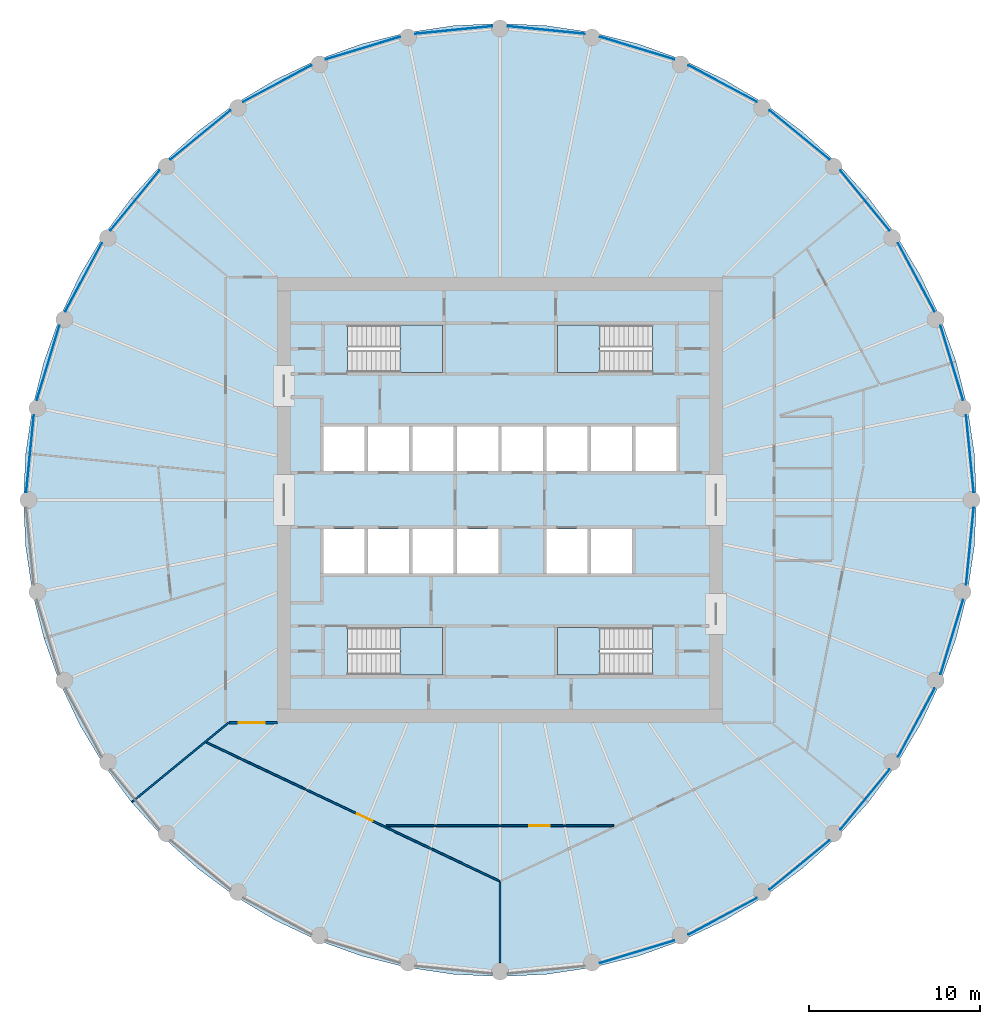
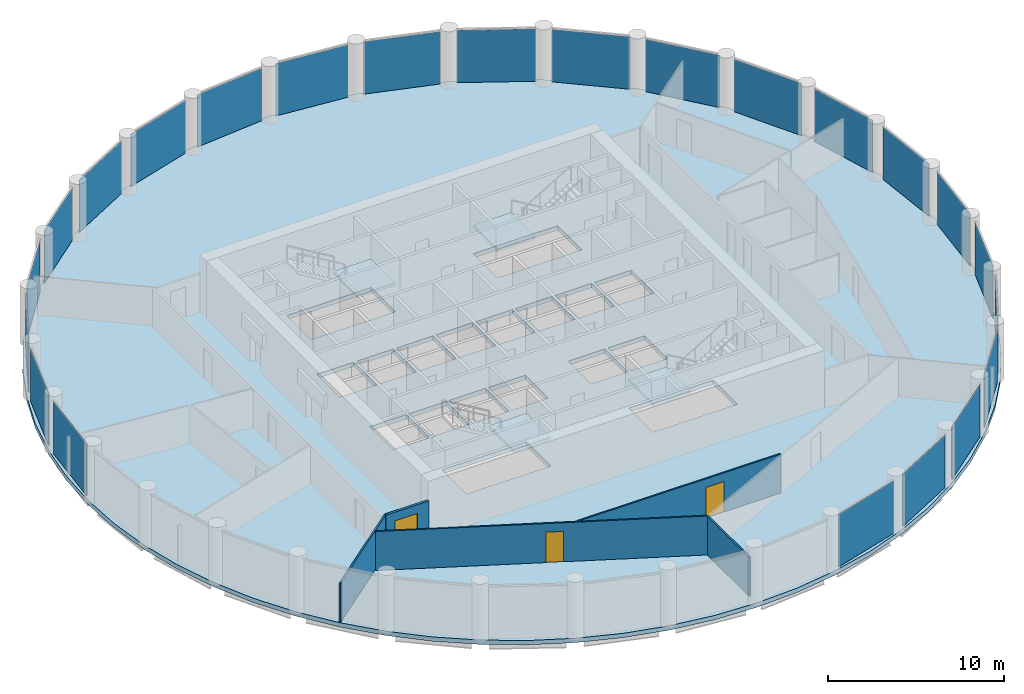
# One storey, part 3 of 8: 23 plates, 5 slabs, 5 walls, 3 doors, 3 openings, 27 elements without a shape of their own.
"""IFC4 building model written with IfcOpenShell, lengths in metres."""

from ifc_helpers import new_model, si_unit, direction, frame, frame_2d, origin, origin_2d, place, context, subcontext, project, spatial, polyline, rectangle, outline, extrude, material, layer, layer_set, type_object, element, fill, aggregate, save


model = new_model("IFC4")

# Units and contexts
model_context = context("Model", 3, precision=1e-05, world=origin(), true_north=direction((0.0, 1.0)))
body_context = subcontext(model_context, "Body", "Model", "MODEL_VIEW")
ifc_project = project(units=[si_unit("LENGTHUNIT", "METRE"), si_unit("AREAUNIT", "SQUARE_METRE"), si_unit("VOLUMEUNIT", "CUBIC_METRE"), si_unit("PLANEANGLEUNIT", "RADIAN"), si_unit("MASSUNIT", "GRAM", prefix="KILO")], contexts=[model_context])

# Site, building, storey
site_placement = place(None, origin())
site = spatial("IfcSite", under=ifc_project, at=site_placement, CompositionType="ELEMENT")
building_placement = place(site_placement, origin())
building = spatial("IfcBuilding", under=site, at=building_placement, Name="Corvane Civic Tower", CompositionType="ELEMENT")
storey_placement = place(building_placement, frame((0.0, 0.0, 213.5)))
storey = spatial("IfcBuildingStorey", under=building, at=storey_placement, Name="L50", CompositionType="ELEMENT", Elevation=213.5)

# Slab
ifc_material_1 = material(Name="Concrete C40/50", Category="concrete")
ifc_layer_1 = layer(ifc_material_1, 0.300048828125)
ifc_layer_set_1 = layer_set([ifc_layer_1], Name="Concrete C40/50")
slab_type_1 = type_object("IfcSlabType", Name="FLOOR SLAB 300", PredefinedType="FLOOR", material=ifc_layer_set_1)
slab_1_placement = place(storey_placement, frame((0.0, 0.0, -0.300048828125)))
element("IfcSlab", 1, at=slab_1_placement, inside=storey, type_object=slab_type_1, Name="SLB-L50", PredefinedType="FLOOR", context=body_context, shape_type="SweptSolid", body=[
    extrude(outline(polyline([(0.0, 27.800048828125), (-2.724853515625, 27.666015625), (-5.423583984375, 27.265869140625), (-8.06982421875, 26.60302734375), (-10.638671875, 25.683837890625), (-13.104736328125, 24.517333984375), (-15.44482421875, 23.11474609375), (-17.63623046875, 21.48974609375), (-19.657470703125, 19.657470703125), (-21.48974609375, 17.63623046875), (-23.11474609375, 15.44482421875), (-24.517333984375, 13.104736328125), (-25.683837890625, 10.638671875), (-26.60302734375, 8.06982421875), (-27.265869140625, 5.423583984375), (-27.666015625, 2.724853515625), (-27.800048828125, 0.0), (-27.666015625, -2.724853515625), (-27.265869140625, -5.423583984375), (-26.60302734375, -8.06982421875), (-25.683837890625, -10.638671875), (-24.517333984375, -13.104736328125), (-23.11474609375, -15.44482421875), (-21.48974609375, -17.63623046875), (-19.657470703125, -19.657470703125), (-17.63623046875, -21.48974609375), (-15.44482421875, -23.11474609375), (-13.104736328125, -24.517333984375), (-10.638671875, -25.683837890625), (-8.06982421875, -26.60302734375), (-5.423583984375, -27.265869140625), (-2.724853515625, -27.666015625), (0.0, -27.800048828125), (2.724853515625, -27.666015625), (5.423583984375, -27.265869140625), (8.06982421875, -26.60302734375), (10.638671875, -25.683837890625), (13.104736328125, -24.517333984375), (15.44482421875, -23.11474609375), (17.63623046875, -21.48974609375), (19.657470703125, -19.657470703125), (21.48974609375, -17.63623046875), (23.11474609375, -15.44482421875), (24.517333984375, -13.104736328125), (25.683837890625, -10.638671875), (26.60302734375, -8.06982421875), (27.265869140625, -5.423583984375), (27.666015625, -2.724853515625), (27.800048828125, 0.0), (27.666015625, 2.724853515625), (27.265869140625, 5.423583984375), (26.60302734375, 8.06982421875), (25.683837890625, 10.638671875), (24.517333984375, 13.104736328125), (23.11474609375, 15.44482421875), (21.48974609375, 17.63623046875), (19.657470703125, 19.657470703125), (17.63623046875, 21.48974609375), (15.44482421875, 23.11474609375), (13.104736328125, 24.517333984375), (10.638671875, 25.683837890625), (8.06982421875, 26.60302734375), (5.423583984375, 27.265869140625), (2.724853515625, 27.666015625), (0.0, 27.800048828125)]), holes=[polyline([(-10.300048828125, 4.300048828125), (-7.89990234375, 4.300048828125), (-7.89990234375, 1.699951171875), (-10.300048828125, 1.699951171875), (-10.300048828125, 4.300048828125)]), polyline([(-5.300048828125, 1.699951171875), (-7.699951171875, 1.699951171875), (-7.699951171875, 4.300048828125), (-5.300048828125, 4.300048828125), (-5.300048828125, 1.699951171875)]), polyline([(-5.10009765625, 4.300048828125), (-2.699951171875, 4.300048828125), (-2.699951171875, 1.699951171875), (-5.10009765625, 1.699951171875), (-5.10009765625, 4.300048828125)]), polyline([(-0.10009765625, 4.300048828125), (-0.10009765625, 1.699951171875), (-2.5, 1.699951171875), (-2.5, 4.300048828125), (-0.10009765625, 4.300048828125)]), polyline([(2.5, 4.300048828125), (2.5, 1.699951171875), (0.10009765625, 1.699951171875), (0.10009765625, 4.300048828125), (2.5, 4.300048828125)]), polyline([(2.699951171875, 4.300048828125), (5.10009765625, 4.300048828125), (5.10009765625, 1.699951171875), (2.699951171875, 1.699951171875), (2.699951171875, 4.300048828125)]), polyline([(5.300048828125, 4.300048828125), (7.699951171875, 4.300048828125), (7.699951171875, 1.699951171875), (5.300048828125, 1.699951171875), (5.300048828125, 4.300048828125)]), polyline([(7.89990234375, 4.300048828125), (10.300048828125, 4.300048828125), (10.300048828125, 1.699951171875), (7.89990234375, 1.699951171875), (7.89990234375, 4.300048828125)]), polyline([(-7.89990234375, -1.699951171875), (-7.89990234375, -4.300048828125), (-10.300048828125, -4.300048828125), (-10.300048828125, -1.699951171875), (-7.89990234375, -1.699951171875)]), polyline([(-5.300048828125, -1.699951171875), (-5.300048828125, -4.300048828125), (-7.699951171875, -4.300048828125), (-7.699951171875, -1.699951171875), (-5.300048828125, -1.699951171875)]), polyline([(-5.10009765625, -4.300048828125), (-5.10009765625, -1.699951171875), (-2.699951171875, -1.699951171875), (-2.699951171875, -4.300048828125), (-5.10009765625, -4.300048828125)]), polyline([(-2.5, -1.699951171875), (-0.10009765625, -1.699951171875), (-0.10009765625, -4.300048828125), (-2.5, -4.300048828125), (-2.5, -1.699951171875)]), polyline([(5.10009765625, -1.699951171875), (5.10009765625, -4.300048828125), (2.699951171875, -4.300048828125), (2.699951171875, -1.699951171875), (5.10009765625, -1.699951171875)]), polyline([(7.699951171875, -1.699951171875), (7.699951171875, -4.300048828125), (5.300048828125, -4.300048828125), (5.300048828125, -1.699951171875), (7.699951171875, -1.699951171875)]), polyline([(8.889892578125, 10.199951171875), (8.889892578125, 7.449951171875), (3.35009765625, 7.449951171875), (3.35009765625, 10.199951171875), (8.889892578125, 10.199951171875)]), polyline([(-8.889892578125, 7.449951171875), (-8.889892578125, 10.199951171875), (-3.35009765625, 10.199951171875), (-3.35009765625, 7.449951171875), (-8.889892578125, 7.449951171875)]), polyline([(8.889892578125, -7.449951171875), (8.889892578125, -10.199951171875), (3.35009765625, -10.199951171875), (3.35009765625, -7.449951171875), (8.889892578125, -7.449951171875)]), polyline([(-8.889892578125, -10.199951171875), (-8.889892578125, -7.449951171875), (-3.35009765625, -7.449951171875), (-3.35009765625, -10.199951171875), (-8.889892578125, -10.199951171875)])]), origin(), (0.0, 0.0, 1.0), 0.300048828125),
])

# Stair, slab
ifc_material_2 = material(Name="Concrete C40/50", Category="concrete")
stair_type = type_object("IfcStairType", Name="ST-STAIR-HALFTURN", PredefinedType="HALF_TURN_STAIR", material=ifc_material_2)
stair_1_placement = place(storey_placement, origin())
stair_1 = element("IfcStair", 2, at=stair_1_placement, inside=storey, type_object=stair_type, Name="L50 Exit stair ST1", PredefinedType="HALF_TURN_STAIR")
ifc_material_3 = material(Name="Concrete C40/50", Category="concrete")
ifc_layer_2 = layer(ifc_material_3, 0.199951171875)
ifc_layer_set_2 = layer_set([ifc_layer_2], Name="Concrete C40/50")
slab_type_2 = type_object("IfcSlabType", Name="ST-LANDING-RC", PredefinedType="LANDING", material=ifc_layer_set_2)
slab_2_placement = place(storey_placement, frame((0.0, 0.0, 1.800048828125)))
slab_2 = element("IfcSlab", 3, at=slab_2_placement, type_object=slab_type_2, Name="ST1 landing 1", PredefinedType="LANDING", context=body_context, shape_type="SweptSolid", body=[
    extrude(outline(polyline([(5.820068359375, 10.199951171875), (3.35009765625, 10.199951171875), (3.35009765625, 7.449951171875), (5.820068359375, 7.449951171875), (5.820068359375, 10.199951171875)])), origin(), (0.0, 0.0, 1.0), 0.199951171875),
])
aggregate(stair_1, [slab_2])

stair_2_placement = place(storey_placement, origin())
stair_2 = element("IfcStair", 4, at=stair_2_placement, inside=storey, type_object=stair_type, Name="L50 Exit stair ST2", PredefinedType="HALF_TURN_STAIR")
slab_3_placement = place(storey_placement, frame((0.0, 0.0, 1.800048828125)))
slab_3 = element("IfcSlab", 5, at=slab_3_placement, type_object=slab_type_2, Name="ST2 landing 1", PredefinedType="LANDING", context=body_context, shape_type="SweptSolid", body=[
    extrude(outline(polyline([(5.820068359375, -7.449951171875), (3.35009765625, -7.449951171875), (3.35009765625, -10.199951171875), (5.820068359375, -10.199951171875), (5.820068359375, -7.449951171875)])), origin(), (0.0, 0.0, 1.0), 0.199951171875),
])
aggregate(stair_2, [slab_3])

stair_3_placement = place(storey_placement, origin())
stair_3 = element("IfcStair", 6, at=stair_3_placement, inside=storey, type_object=stair_type, Name="L50 Exit stair ST3", PredefinedType="HALF_TURN_STAIR")
slab_4_placement = place(storey_placement, frame((0.0, 0.0, 1.800048828125)))
slab_4 = element("IfcSlab", 7, at=slab_4_placement, type_object=slab_type_2, Name="ST3 landing 1", PredefinedType="LANDING", context=body_context, shape_type="SweptSolid", body=[
    extrude(outline(polyline([(-5.820068359375, -10.199951171875), (-3.35009765625, -10.199951171875), (-3.35009765625, -7.449951171875), (-5.820068359375, -7.449951171875), (-5.820068359375, -10.199951171875)])), origin(), (0.0, 0.0, 1.0), 0.199951171875),
])
aggregate(stair_3, [slab_4])

stair_4_placement = place(storey_placement, origin())
stair_4 = element("IfcStair", 8, at=stair_4_placement, inside=storey, type_object=stair_type, Name="L50 Exit stair ST4", PredefinedType="HALF_TURN_STAIR")
slab_5_placement = place(storey_placement, frame((0.0, 0.0, 1.800048828125)))
slab_5 = element("IfcSlab", 9, at=slab_5_placement, type_object=slab_type_2, Name="ST4 landing 1", PredefinedType="LANDING", context=body_context, shape_type="SweptSolid", body=[
    extrude(outline(polyline([(-5.820068359375, 7.449951171875), (-3.35009765625, 7.449951171875), (-3.35009765625, 10.199951171875), (-5.820068359375, 10.199951171875), (-5.820068359375, 7.449951171875)])), origin(), (0.0, 0.0, 1.0), 0.199951171875),
])
aggregate(stair_4, [slab_5])

# Curtain wall, plate
ifc_material_4 = material(Name="Anodised aluminium bronze", Category="aluminium")
curtain_wall_type = type_object("IfcCurtainWallType", Name="TOWER CW-T2 STICK CURTAIN WALL", PredefinedType="NOTDEFINED", material=ifc_material_4)
curtain_wall_1_placement = place(storey_placement, origin())
curtain_wall_1 = element("IfcCurtainWall", 10, at=curtain_wall_1_placement, inside=storey, type_object=curtain_wall_type, Name="Curtain wall CW-T2 L50 bay 01", PredefinedType="NOTDEFINED")
ifc_material_5 = material(Name="Tinted glass", Category="glass")
ifc_layer_3 = layer(ifc_material_5, 0.031982421875)
ifc_layer_set_3 = layer_set([ifc_layer_3], Name="Tinted glass")
plate_type = type_object("IfcPlateType", Name="TOWER CW-T2 PANEL IGU32", PredefinedType="CURTAIN_PANEL", material=ifc_layer_set_3)
plate_1_placement = place(storey_placement, frame((2.699951171875, 27.4140625, 0.0), z_axis=(0.0, 0.0, 1.0), x_axis=(0.995187058378, -0.097993463235, 0.0)))
plate_1 = element("IfcPlate", 11, at=plate_1_placement, type_object=plate_type, Name="Glass panel CW-T2 L50 01.1", PredefinedType="CURTAIN_PANEL", context=body_context, shape_type="SweptSolid", body=[
    extrude(rectangle(XDim=4.517333984375, YDim=0.031982421875, at=origin_2d()), origin(), (0.0, 0.0, 1.0), 3.6298828125),
])
aggregate(curtain_wall_1, [plate_1])

curtain_wall_2_placement = place(storey_placement, origin())
curtain_wall_2 = element("IfcCurtainWall", 12, at=curtain_wall_2_placement, inside=storey, type_object=curtain_wall_type, Name="Curtain wall CW-T2 L50 bay 02", PredefinedType="NOTDEFINED")
plate_2_placement = place(storey_placement, frame((7.996337890625, 26.360595703125, 0.0), z_axis=(0.0, 0.0, 1.0), x_axis=(0.956938843612, -0.290289596069, 0.0)))
plate_2 = element("IfcPlate", 13, at=plate_2_placement, type_object=plate_type, Name="Glass panel CW-T2 L50 02.1", PredefinedType="CURTAIN_PANEL", context=body_context, shape_type="SweptSolid", body=[
    extrude(rectangle(XDim=4.517333984375, YDim=0.031982421875, at=origin_2d()), origin(), (0.0, 0.0, 1.0), 3.6298828125),
])
aggregate(curtain_wall_2, [plate_2])

curtain_wall_3_placement = place(storey_placement, origin())
curtain_wall_3 = element("IfcCurtainWall", 14, at=curtain_wall_3_placement, inside=storey, type_object=curtain_wall_type, Name="Curtain wall CW-T2 L50 bay 03", PredefinedType="NOTDEFINED")
plate_3_placement = place(storey_placement, frame((12.9853515625, 24.294189453125, 0.0), z_axis=(0.0, 0.0, 1.0), x_axis=(0.881920381001, -0.471398389449, 0.0)))
plate_3 = element("IfcPlate", 15, at=plate_3_placement, type_object=plate_type, Name="Glass panel CW-T2 L50 03.1", PredefinedType="CURTAIN_PANEL", context=body_context, shape_type="SweptSolid", body=[
    extrude(rectangle(XDim=4.517333984375, YDim=0.031982421875, at=origin_2d()), origin(), (0.0, 0.0, 1.0), 3.6298828125),
])
aggregate(curtain_wall_3, [plate_3])

curtain_wall_4_placement = place(storey_placement, origin())
curtain_wall_4 = element("IfcCurtainWall", 16, at=curtain_wall_4_placement, inside=storey, type_object=curtain_wall_type, Name="Curtain wall CW-T2 L50 bay 04", PredefinedType="NOTDEFINED")
plate_4_placement = place(storey_placement, frame((17.475341796875, 21.2939453125, 0.0), z_axis=(0.0, 0.0, 1.0), x_axis=(0.773012269331, -0.634391071394, 0.0)))
plate_4 = element("IfcPlate", 17, at=plate_4_placement, type_object=plate_type, Name="Glass panel CW-T2 L50 04.1", PredefinedType="CURTAIN_PANEL", context=body_context, shape_type="SweptSolid", body=[
    extrude(rectangle(XDim=4.517333984375, YDim=0.031982421875, at=origin_2d()), origin(), (0.0, 0.0, 1.0), 3.6298828125),
])
aggregate(curtain_wall_4, [plate_4])

curtain_wall_5_placement = place(storey_placement, origin())
curtain_wall_5 = element("IfcCurtainWall", 18, at=curtain_wall_5_placement, inside=storey, type_object=curtain_wall_type, Name="Curtain wall CW-T2 L50 bay 05", PredefinedType="NOTDEFINED")
plate_5_placement = place(storey_placement, frame((21.2939453125, 17.475341796875, 0.0), z_axis=(0.0, 0.0, 1.0), x_axis=(0.634391071394, -0.773012269331, 0.0)))
plate_5 = element("IfcPlate", 19, at=plate_5_placement, type_object=plate_type, Name="Glass panel CW-T2 L50 05.1", PredefinedType="CURTAIN_PANEL", context=body_context, shape_type="SweptSolid", body=[
    extrude(rectangle(XDim=4.517333984375, YDim=0.031982421875, at=origin_2d()), origin(), (0.0, 0.0, 1.0), 3.6298828125),
])
aggregate(curtain_wall_5, [plate_5])

curtain_wall_6_placement = place(storey_placement, origin())
curtain_wall_6 = element("IfcCurtainWall", 20, at=curtain_wall_6_placement, inside=storey, type_object=curtain_wall_type, Name="Curtain wall CW-T2 L50 bay 06", PredefinedType="NOTDEFINED")
plate_6_placement = place(storey_placement, frame((24.294189453125, 12.9853515625, 0.0), z_axis=(0.0, 0.0, 1.0), x_axis=(0.471398389449, -0.881920381001, 0.0)))
plate_6 = element("IfcPlate", 21, at=plate_6_placement, type_object=plate_type, Name="Glass panel CW-T2 L50 06.1", PredefinedType="CURTAIN_PANEL", context=body_context, shape_type="SweptSolid", body=[
    extrude(rectangle(XDim=4.517333984375, YDim=0.031982421875, at=origin_2d()), origin(), (0.0, 0.0, 1.0), 3.6298828125),
])
aggregate(curtain_wall_6, [plate_6])

curtain_wall_7_placement = place(storey_placement, origin())
curtain_wall_7 = element("IfcCurtainWall", 22, at=curtain_wall_7_placement, inside=storey, type_object=curtain_wall_type, Name="Curtain wall CW-T2 L50 bay 07", PredefinedType="NOTDEFINED")
plate_7_placement = place(storey_placement, frame((26.360595703125, 7.996337890625, 0.0), z_axis=(0.0, 0.0, 1.0), x_axis=(0.290289596069, -0.956938843612, 0.0)))
plate_7 = element("IfcPlate", 23, at=plate_7_placement, type_object=plate_type, Name="Glass panel CW-T2 L50 07.1", PredefinedType="CURTAIN_PANEL", context=body_context, shape_type="SweptSolid", body=[
    extrude(rectangle(XDim=4.517333984375, YDim=0.031982421875, at=origin_2d()), origin(), (0.0, 0.0, 1.0), 3.6298828125),
])
aggregate(curtain_wall_7, [plate_7])

curtain_wall_8_placement = place(storey_placement, origin())
curtain_wall_8 = element("IfcCurtainWall", 24, at=curtain_wall_8_placement, inside=storey, type_object=curtain_wall_type, Name="Curtain wall CW-T2 L50 bay 08", PredefinedType="NOTDEFINED")
plate_8_placement = place(storey_placement, frame((27.4140625, 2.699951171875, 0.0), z_axis=(0.0, 0.0, 1.0), x_axis=(0.097993463235, -0.995187058378, 0.0)))
plate_8 = element("IfcPlate", 25, at=plate_8_placement, type_object=plate_type, Name="Glass panel CW-T2 L50 08.1", PredefinedType="CURTAIN_PANEL", context=body_context, shape_type="SweptSolid", body=[
    extrude(rectangle(XDim=4.517333984375, YDim=0.031982421875, at=origin_2d()), origin(), (0.0, 0.0, 1.0), 3.6298828125),
])
aggregate(curtain_wall_8, [plate_8])

curtain_wall_9_placement = place(storey_placement, origin())
curtain_wall_9 = element("IfcCurtainWall", 26, at=curtain_wall_9_placement, inside=storey, type_object=curtain_wall_type, Name="Curtain wall CW-T2 L50 bay 09", PredefinedType="NOTDEFINED")
plate_9_placement = place(storey_placement, frame((27.4140625, -2.699951171875, 0.0), z_axis=(0.0, 0.0, 1.0), x_axis=(-0.097993463235, -0.995187058378, 0.0)))
plate_9 = element("IfcPlate", 27, at=plate_9_placement, type_object=plate_type, Name="Glass panel CW-T2 L50 09.1", PredefinedType="CURTAIN_PANEL", context=body_context, shape_type="SweptSolid", body=[
    extrude(rectangle(XDim=4.517333984375, YDim=0.031982421875, at=origin_2d()), origin(), (0.0, 0.0, 1.0), 3.6298828125),
])
aggregate(curtain_wall_9, [plate_9])

curtain_wall_10_placement = place(storey_placement, origin())
curtain_wall_10 = element("IfcCurtainWall", 28, at=curtain_wall_10_placement, inside=storey, type_object=curtain_wall_type, Name="Curtain wall CW-T2 L50 bay 10", PredefinedType="NOTDEFINED")
plate_10_placement = place(storey_placement, frame((26.360595703125, -7.996337890625, 0.0), z_axis=(0.0, 0.0, 1.0), x_axis=(-0.290289596069, -0.956938843612, 0.0)))
plate_10 = element("IfcPlate", 29, at=plate_10_placement, type_object=plate_type, Name="Glass panel CW-T2 L50 10.1", PredefinedType="CURTAIN_PANEL", context=body_context, shape_type="SweptSolid", body=[
    extrude(rectangle(XDim=4.517333984375, YDim=0.031982421875, at=origin_2d()), origin(), (0.0, 0.0, 1.0), 3.6298828125),
])
aggregate(curtain_wall_10, [plate_10])

curtain_wall_11_placement = place(storey_placement, origin())
curtain_wall_11 = element("IfcCurtainWall", 30, at=curtain_wall_11_placement, inside=storey, type_object=curtain_wall_type, Name="Curtain wall CW-T2 L50 bay 11", PredefinedType="NOTDEFINED")
plate_11_placement = place(storey_placement, frame((24.294189453125, -12.9853515625, 0.0), z_axis=(0.0, 0.0, 1.0), x_axis=(-0.471398389449, -0.881920381001, 0.0)))
plate_11 = element("IfcPlate", 31, at=plate_11_placement, type_object=plate_type, Name="Glass panel CW-T2 L50 11.1", PredefinedType="CURTAIN_PANEL", context=body_context, shape_type="SweptSolid", body=[
    extrude(rectangle(XDim=4.517333984375, YDim=0.031982421875, at=origin_2d()), origin(), (0.0, 0.0, 1.0), 3.6298828125),
])
aggregate(curtain_wall_11, [plate_11])

curtain_wall_12_placement = place(storey_placement, origin())
curtain_wall_12 = element("IfcCurtainWall", 32, at=curtain_wall_12_placement, inside=storey, type_object=curtain_wall_type, Name="Curtain wall CW-T2 L50 bay 12", PredefinedType="NOTDEFINED")
plate_12_placement = place(storey_placement, frame((21.2939453125, -17.475341796875, 0.0), z_axis=(0.0, 0.0, 1.0), x_axis=(-0.634391071394, -0.773012269331, 0.0)))
plate_12 = element("IfcPlate", 33, at=plate_12_placement, type_object=plate_type, Name="Glass panel CW-T2 L50 12.1", PredefinedType="CURTAIN_PANEL", context=body_context, shape_type="SweptSolid", body=[
    extrude(rectangle(XDim=4.517333984375, YDim=0.031982421875, at=origin_2d()), origin(), (0.0, 0.0, 1.0), 3.6298828125),
])
aggregate(curtain_wall_12, [plate_12])

curtain_wall_13_placement = place(storey_placement, origin())
curtain_wall_13 = element("IfcCurtainWall", 34, at=curtain_wall_13_placement, inside=storey, type_object=curtain_wall_type, Name="Curtain wall CW-T2 L50 bay 13", PredefinedType="NOTDEFINED")
plate_13_placement = place(storey_placement, frame((17.475341796875, -21.2939453125, 0.0), z_axis=(0.0, 0.0, 1.0), x_axis=(-0.773012269331, -0.634391071394, 0.0)))
plate_13 = element("IfcPlate", 35, at=plate_13_placement, type_object=plate_type, Name="Glass panel CW-T2 L50 13.1", PredefinedType="CURTAIN_PANEL", context=body_context, shape_type="SweptSolid", body=[
    extrude(rectangle(XDim=4.517333984375, YDim=0.031982421875, at=origin_2d()), origin(), (0.0, 0.0, 1.0), 3.6298828125),
])
aggregate(curtain_wall_13, [plate_13])

curtain_wall_14_placement = place(storey_placement, origin())
curtain_wall_14 = element("IfcCurtainWall", 36, at=curtain_wall_14_placement, inside=storey, type_object=curtain_wall_type, Name="Curtain wall CW-T2 L50 bay 14", PredefinedType="NOTDEFINED")
plate_14_placement = place(storey_placement, frame((12.9853515625, -24.294189453125, 0.0), z_axis=(0.0, 0.0, 1.0), x_axis=(-0.881920381001, -0.471398389449, 0.0)))
plate_14 = element("IfcPlate", 37, at=plate_14_placement, type_object=plate_type, Name="Glass panel CW-T2 L50 14.1", PredefinedType="CURTAIN_PANEL", context=body_context, shape_type="SweptSolid", body=[
    extrude(rectangle(XDim=4.517333984375, YDim=0.031982421875, at=origin_2d()), origin(), (0.0, 0.0, 1.0), 3.6298828125),
])
aggregate(curtain_wall_14, [plate_14])

curtain_wall_15_placement = place(storey_placement, origin())
curtain_wall_15 = element("IfcCurtainWall", 38, at=curtain_wall_15_placement, inside=storey, type_object=curtain_wall_type, Name="Curtain wall CW-T2 L50 bay 15", PredefinedType="NOTDEFINED")
plate_15_placement = place(storey_placement, frame((7.996337890625, -26.360595703125, 0.0), z_axis=(0.0, 0.0, 1.0), x_axis=(-0.956938843612, -0.290289596069, 0.0)))
plate_15 = element("IfcPlate", 39, at=plate_15_placement, type_object=plate_type, Name="Glass panel CW-T2 L50 15.1", PredefinedType="CURTAIN_PANEL", context=body_context, shape_type="SweptSolid", body=[
    extrude(rectangle(XDim=4.517333984375, YDim=0.031982421875, at=origin_2d()), origin(), (0.0, 0.0, 1.0), 3.6298828125),
])
aggregate(curtain_wall_15, [plate_15])

curtain_wall_16_placement = place(storey_placement, origin())
curtain_wall_16 = element("IfcCurtainWall", 40, at=curtain_wall_16_placement, inside=storey, type_object=curtain_wall_type, Name="Curtain wall CW-T2 L50 bay 25", PredefinedType="NOTDEFINED")
plate_16_placement = place(storey_placement, frame((-27.4140625, 2.699951171875, 0.0), z_axis=(0.0, 0.0, 1.0), x_axis=(0.097993463235, 0.995187058378, 0.0)))
plate_16 = element("IfcPlate", 41, at=plate_16_placement, type_object=plate_type, Name="Glass panel CW-T2 L50 25.1", PredefinedType="CURTAIN_PANEL", context=body_context, shape_type="SweptSolid", body=[
    extrude(rectangle(XDim=4.517333984375, YDim=0.031982421875, at=origin_2d()), origin(), (0.0, 0.0, 1.0), 3.6298828125),
])
aggregate(curtain_wall_16, [plate_16])

curtain_wall_17_placement = place(storey_placement, origin())
curtain_wall_17 = element("IfcCurtainWall", 42, at=curtain_wall_17_placement, inside=storey, type_object=curtain_wall_type, Name="Curtain wall CW-T2 L50 bay 26", PredefinedType="NOTDEFINED")
plate_17_placement = place(storey_placement, frame((-26.360595703125, 7.996337890625, 0.0), z_axis=(0.0, 0.0, 1.0), x_axis=(0.290289596069, 0.956938843612, 0.0)))
plate_17 = element("IfcPlate", 43, at=plate_17_placement, type_object=plate_type, Name="Glass panel CW-T2 L50 26.1", PredefinedType="CURTAIN_PANEL", context=body_context, shape_type="SweptSolid", body=[
    extrude(rectangle(XDim=4.517333984375, YDim=0.031982421875, at=origin_2d()), origin(), (0.0, 0.0, 1.0), 3.6298828125),
])
aggregate(curtain_wall_17, [plate_17])

curtain_wall_18_placement = place(storey_placement, origin())
curtain_wall_18 = element("IfcCurtainWall", 44, at=curtain_wall_18_placement, inside=storey, type_object=curtain_wall_type, Name="Curtain wall CW-T2 L50 bay 27", PredefinedType="NOTDEFINED")
plate_18_placement = place(storey_placement, frame((-24.294189453125, 12.9853515625, 0.0), z_axis=(0.0, 0.0, 1.0), x_axis=(0.471398389449, 0.881920381001, 0.0)))
plate_18 = element("IfcPlate", 45, at=plate_18_placement, type_object=plate_type, Name="Glass panel CW-T2 L50 27.1", PredefinedType="CURTAIN_PANEL", context=body_context, shape_type="SweptSolid", body=[
    extrude(rectangle(XDim=4.517333984375, YDim=0.031982421875, at=origin_2d()), origin(), (0.0, 0.0, 1.0), 3.6298828125),
])
aggregate(curtain_wall_18, [plate_18])

curtain_wall_19_placement = place(storey_placement, origin())
curtain_wall_19 = element("IfcCurtainWall", 46, at=curtain_wall_19_placement, inside=storey, type_object=curtain_wall_type, Name="Curtain wall CW-T2 L50 bay 28", PredefinedType="NOTDEFINED")
plate_19_placement = place(storey_placement, frame((-21.2939453125, 17.475341796875, 0.0), z_axis=(0.0, 0.0, 1.0), x_axis=(0.634391071394, 0.773012269331, 0.0)))
plate_19 = element("IfcPlate", 47, at=plate_19_placement, type_object=plate_type, Name="Glass panel CW-T2 L50 28.1", PredefinedType="CURTAIN_PANEL", context=body_context, shape_type="SweptSolid", body=[
    extrude(rectangle(XDim=4.517333984375, YDim=0.031982421875, at=origin_2d()), origin(), (0.0, 0.0, 1.0), 3.6298828125),
])
aggregate(curtain_wall_19, [plate_19])

curtain_wall_20_placement = place(storey_placement, origin())
curtain_wall_20 = element("IfcCurtainWall", 48, at=curtain_wall_20_placement, inside=storey, type_object=curtain_wall_type, Name="Curtain wall CW-T2 L50 bay 29", PredefinedType="NOTDEFINED")
plate_20_placement = place(storey_placement, frame((-17.475341796875, 21.2939453125, 0.0), z_axis=(0.0, 0.0, 1.0), x_axis=(0.773012269331, 0.634391071394, 0.0)))
plate_20 = element("IfcPlate", 49, at=plate_20_placement, type_object=plate_type, Name="Glass panel CW-T2 L50 29.1", PredefinedType="CURTAIN_PANEL", context=body_context, shape_type="SweptSolid", body=[
    extrude(rectangle(XDim=4.517333984375, YDim=0.031982421875, at=origin_2d()), origin(), (0.0, 0.0, 1.0), 3.6298828125),
])
aggregate(curtain_wall_20, [plate_20])

curtain_wall_21_placement = place(storey_placement, origin())
curtain_wall_21 = element("IfcCurtainWall", 50, at=curtain_wall_21_placement, inside=storey, type_object=curtain_wall_type, Name="Curtain wall CW-T2 L50 bay 30", PredefinedType="NOTDEFINED")
plate_21_placement = place(storey_placement, frame((-12.9853515625, 24.294189453125, 0.0), z_axis=(0.0, 0.0, 1.0), x_axis=(0.881920381001, 0.471398389449, 0.0)))
plate_21 = element("IfcPlate", 51, at=plate_21_placement, type_object=plate_type, Name="Glass panel CW-T2 L50 30.1", PredefinedType="CURTAIN_PANEL", context=body_context, shape_type="SweptSolid", body=[
    extrude(rectangle(XDim=4.517333984375, YDim=0.031982421875, at=origin_2d()), origin(), (0.0, 0.0, 1.0), 3.6298828125),
])
aggregate(curtain_wall_21, [plate_21])

curtain_wall_22_placement = place(storey_placement, origin())
curtain_wall_22 = element("IfcCurtainWall", 52, at=curtain_wall_22_placement, inside=storey, type_object=curtain_wall_type, Name="Curtain wall CW-T2 L50 bay 31", PredefinedType="NOTDEFINED")
plate_22_placement = place(storey_placement, frame((-7.996337890625, 26.360595703125, 0.0), z_axis=(0.0, 0.0, 1.0), x_axis=(0.956938843612, 0.290289596069, 0.0)))
plate_22 = element("IfcPlate", 53, at=plate_22_placement, type_object=plate_type, Name="Glass panel CW-T2 L50 31.1", PredefinedType="CURTAIN_PANEL", context=body_context, shape_type="SweptSolid", body=[
    extrude(rectangle(XDim=4.517333984375, YDim=0.031982421875, at=origin_2d()), origin(), (0.0, 0.0, 1.0), 3.6298828125),
])
aggregate(curtain_wall_22, [plate_22])

curtain_wall_23_placement = place(storey_placement, origin())
curtain_wall_23 = element("IfcCurtainWall", 54, at=curtain_wall_23_placement, inside=storey, type_object=curtain_wall_type, Name="Curtain wall CW-T2 L50 bay 32", PredefinedType="NOTDEFINED")
plate_23_placement = place(storey_placement, frame((-2.699951171875, 27.4140625, 0.0), z_axis=(0.0, 0.0, 1.0), x_axis=(0.995187058378, 0.097993463235, 0.0)))
plate_23 = element("IfcPlate", 55, at=plate_23_placement, type_object=plate_type, Name="Glass panel CW-T2 L50 32.1", PredefinedType="CURTAIN_PANEL", context=body_context, shape_type="SweptSolid", body=[
    extrude(rectangle(XDim=4.517333984375, YDim=0.031982421875, at=origin_2d()), origin(), (0.0, 0.0, 1.0), 3.6298828125),
])
aggregate(curtain_wall_23, [plate_23])

# Wall
ifc_material_6 = material(Name="Plasterboard")
ifc_layer_4 = layer(ifc_material_6, 0.10009765625)
ifc_layer_set_4 = layer_set([ifc_layer_4], Name="Plasterboard")
wall_type_1 = type_object("IfcWallType", Name="Partition 100 plasterboard on studs", PredefinedType="PARTITIONING", material=ifc_layer_set_4)
wall_1_placement = place(storey_placement, frame((0.0, -26.989990234375, 0.0), z_axis=(0.0, 0.0, 1.0), x_axis=(0.0, 1.0, 0.0)))
element("IfcWall", 56, at=wall_1_placement, inside=storey, type_object=wall_type_1, Name="Partition L50.001", PredefinedType="PARTITIONING", context=body_context, shape_type="SweptSolid", body=[
    extrude(rectangle(XDim=4.714599609375, YDim=0.10009765625, at=frame_2d((2.357421875, 0.0))), origin(), (0.0, 0.0, 1.0), 2.699951171875),
])

# Wall, opening, door
wall_2_placement = place(storey_placement, frame((-17.123046875, -14.14501953125, 0.0), z_axis=(0.0, 0.0, 1.0), x_axis=(0.903991891137, -0.42754960035, 0.0)))
wall_2 = element("IfcWall", 57, at=wall_2_placement, inside=storey, type_object=wall_type_1, Name="Partition L50.002", PredefinedType="PARTITIONING", context=body_context, shape_type="SweptSolid", body=[
    extrude(rectangle(XDim=18.909912109375, YDim=0.10009765625, at=frame_2d((9.455078125, 0.0))), origin(), (0.0, 0.0, 1.0), 2.699951171875),
])
opening_1_placement = place(wall_2_placement, frame((9.711181640625, 0.0, 0.0)))
opening_1 = element("IfcOpeningElement", 58, at=opening_1_placement, cuts=wall_2, Name="Opening L50.003", PredefinedType="OPENING", context=body_context, shape_type="SweptSolid", body=[
    extrude(rectangle(XDim=1.0, YDim=2.10009765625, at=frame_2d((0.5, 1.050048828125))), frame((0.0, 0.06005859375, 0.0), z_axis=(0.0, -1.0, 0.0), x_axis=(1.0, 0.0, 0.0)), (0.0, 0.0, 1.0), 0.1201171875),
])
ifc_material_7 = material(Name="Timber", Category="wood")
door_type_1 = type_object("IfcDoorType", Name="Single door 1000", OperationType="NOTDEFINED", PredefinedType="DOOR", material=ifc_material_7)
door_1_placement = place(opening_1_placement, frame((1.0, 0.0, 0.0), z_axis=(0.0, 0.0, 1.0), x_axis=(-1.0, 0.0, 0.0)))
door_1 = element("IfcDoor", 59, at=door_1_placement, inside=storey, type_object=door_type_1, Name="Door L50.003", OperationType="SINGLE_SWING_RIGHT", OverallHeight=2.10009765625, OverallWidth=1.0, PredefinedType="DOOR", context=body_context, shape_type="SweptSolid", body=[
    extrude(rectangle(XDim=1.0, YDim=2.10009765625, at=frame_2d((0.5, 1.050048828125))), frame((0.0, 0.02490234375, 0.0), z_axis=(0.0, -1.0, 0.0), x_axis=(1.0, 0.0, 0.0)), (0.0, 0.0, 1.0), 0.050048828125),
])
fill(opening_1, door_1)

wall_3_placement = place(storey_placement, frame((-6.635498046875, -19.0, 0.0), z_axis=(0.0, 0.0, 1.0), x_axis=(1.0, 0.0, 0.0)))
wall_3 = element("IfcWall", 60, at=wall_3_placement, inside=storey, type_object=wall_type_1, Name="Partition L50.004", PredefinedType="PARTITIONING", context=body_context, shape_type="SweptSolid", body=[
    extrude(rectangle(XDim=13.27099609375, YDim=0.10009765625, at=frame_2d((6.635498046875, 0.0))), origin(), (0.0, 0.0, 1.0), 2.699951171875),
])
opening_2_placement = place(wall_3_placement, frame((8.34716796875, 0.0, 0.0)))
opening_2 = element("IfcOpeningElement", 61, at=opening_2_placement, cuts=wall_3, Name="Opening L50.004", PredefinedType="OPENING", context=body_context, shape_type="SweptSolid", body=[
    extrude(rectangle(XDim=1.199951171875, YDim=2.10009765625, at=frame_2d((0.60009765625, 1.050048828125))), frame((0.0, 0.06005859375, 0.0), z_axis=(0.0, -1.0, 0.0), x_axis=(1.0, 0.0, 0.0)), (0.0, 0.0, 1.0), 0.1201171875),
])
ifc_material_8 = material(Name="Timber", Category="wood")
door_type_2 = type_object("IfcDoorType", Name="Double door 1200", OperationType="NOTDEFINED", PredefinedType="DOOR", material=ifc_material_8)
door_2_placement = place(opening_2_placement, frame((1.199951171875, 0.0, 0.0), z_axis=(0.0, 0.0, 1.0), x_axis=(-1.0, 0.0, 0.0)))
door_2 = element("IfcDoor", 62, at=door_2_placement, inside=storey, type_object=door_type_2, Name="Door L50.004", OperationType="DOUBLE_DOOR_SINGLE_SWING", OverallHeight=2.10009765625, OverallWidth=1.199951171875, PredefinedType="DOOR", context=body_context, shape_type="SweptSolid", body=[
    extrude(rectangle(XDim=1.199951171875, YDim=2.10009765625, at=frame_2d((0.60009765625, 1.050048828125))), frame((0.0, 0.02490234375, 0.0), z_axis=(0.0, -1.0, 0.0), x_axis=(1.0, 0.0, 0.0)), (0.0, 0.0, 1.0), 0.050048828125),
])
fill(opening_2, door_2)

# Wall
wall_4_placement = place(storey_placement, frame((-21.451171875, -17.6044921875, 0.0), z_axis=(0.0, 0.0, 1.0), x_axis=(0.772997895748, 0.634408585352, 0.0)))
element("IfcWall", 63, at=wall_4_placement, inside=storey, type_object=wall_type_1, Name="Partition L50.005", PredefinedType="PARTITIONING", context=body_context, shape_type="SweptSolid", body=[
    extrude(rectangle(XDim=7.240234375, YDim=0.10009765625, at=frame_2d((3.6201171875, 0.0))), origin(), (0.0, 0.0, 1.0), 2.699951171875),
])

# Wall, opening, door
ifc_material_9 = material(Name="Plasterboard")
ifc_layer_5 = layer(ifc_material_9, 0.14990234375)
ifc_layer_set_5 = layer_set([ifc_layer_5], Name="Plasterboard")
wall_type_2 = type_object("IfcWallType", Name="Tenancy wall 150 EI 60", PredefinedType="PARTITIONING", material=ifc_layer_set_5)
wall_5_placement = place(storey_placement, frame((-15.813720703125, -13.0, 0.0), z_axis=(0.0, 0.0, 1.0), x_axis=(1.0, 0.0, 0.0)))
wall_5 = element("IfcWall", 64, at=wall_5_placement, inside=storey, type_object=wall_type_2, Name="Partition L50.009", PredefinedType="PARTITIONING", context=body_context, shape_type="SweptSolid", body=[
    extrude(rectangle(XDim=2.82373046875, YDim=0.14990234375, at=frame_2d((1.411865234375, 0.0))), origin(), (0.0, 0.0, 1.0), 2.699951171875),
])
opening_3_placement = place(wall_5_placement, frame((0.577392578125, 0.0, 0.0)))
opening_3 = element("IfcOpeningElement", 65, at=opening_3_placement, cuts=wall_5, Name="Opening L50.005", PredefinedType="OPENING", context=body_context, shape_type="SweptSolid", body=[
    extrude(rectangle(XDim=1.5, YDim=2.10009765625, at=frame_2d((0.75, 1.050048828125))), frame((0.0, 0.0849609375, 0.0), z_axis=(0.0, -1.0, 0.0), x_axis=(1.0, 0.0, 0.0)), (0.0, 0.0, 1.0), 0.169921875),
])
ifc_material_10 = material(Name="Steel and timber", Category="steel")
door_type_3 = type_object("IfcDoorType", Name="Fire door FD60 double 1500", OperationType="NOTDEFINED", PredefinedType="DOOR", material=ifc_material_10)
door_3_placement = place(opening_3_placement, frame((1.5, 0.0, 0.0), z_axis=(0.0, 0.0, 1.0), x_axis=(-1.0, 0.0, 0.0)))
door_3 = element("IfcDoor", 66, at=door_3_placement, inside=storey, type_object=door_type_3, Name="Door L50.005", OperationType="DOUBLE_DOOR_SINGLE_SWING", OverallHeight=2.10009765625, OverallWidth=1.5, PredefinedType="DOOR", context=body_context, shape_type="SweptSolid", body=[
    extrude(rectangle(XDim=1.5, YDim=2.10009765625, at=frame_2d((0.75, 1.050048828125))), frame((0.0, 0.02490234375, 0.0), z_axis=(0.0, -1.0, 0.0), x_axis=(1.0, 0.0, 0.0)), (0.0, 0.0, 1.0), 0.050048828125),
])
fill(opening_3, door_3)

save(model, "model.ifc")
